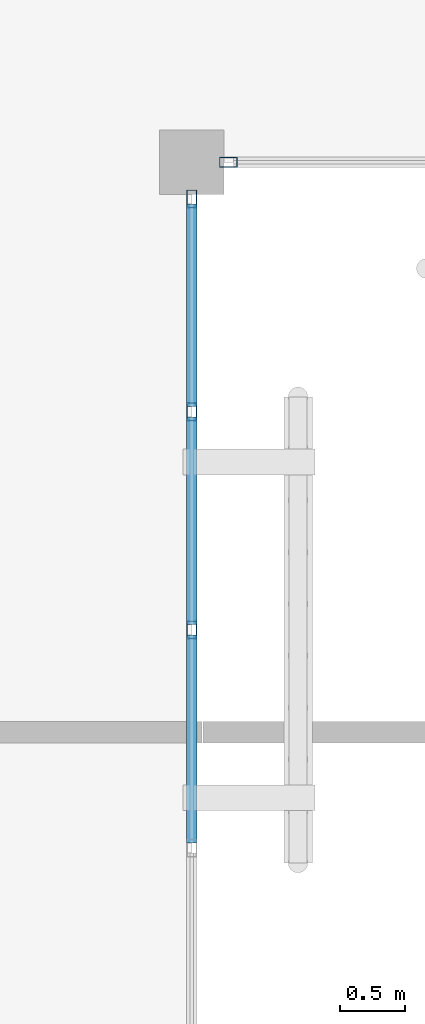
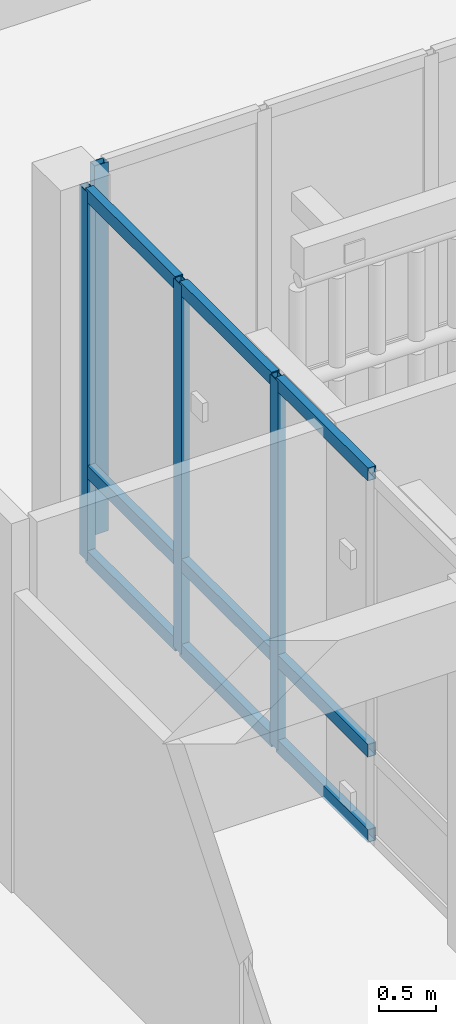
# One storey, part 23 of 61: 13 members, 2 elements without a shape of their own.
"""IFC4 building model written with IfcOpenShell, lengths in metres."""

from ifc_helpers import new_model, si_unit, direction, frame, origin, origin_2d, place, context, subcontext, project, spatial, hollow_rectangle, extrude, material, layer, layer_set, material_profile, profile_set, type_object, element, aggregate, save


model = new_model("IFC4")

# Units and contexts
model_context = context("Model", 3, precision=1e-05, world=origin(), true_north=direction((0.0, 1.0)))
body_context = subcontext(model_context, "Body", "Model", "MODEL_VIEW")
ifc_project = project(units=[si_unit("LENGTHUNIT", "METRE"), si_unit("AREAUNIT", "SQUARE_METRE"), si_unit("VOLUMEUNIT", "CUBIC_METRE"), si_unit("PLANEANGLEUNIT", "RADIAN"), si_unit("MASSUNIT", "GRAM", prefix="KILO")], contexts=[model_context])

# Site, building, storey
site_placement = place(None, origin())
site = spatial("IfcSite", under=ifc_project, at=site_placement, CompositionType="ELEMENT")
building_placement = place(site_placement, origin())
building = spatial("IfcBuilding", under=site, at=building_placement, Name="Mazaris Harbour Polytechnic", CompositionType="ELEMENT")
storey_placement = place(building_placement, frame((0.0, 0.0, 18.0)))
storey = spatial("IfcBuildingStorey", under=building, at=storey_placement, Name="L04", CompositionType="ELEMENT", Elevation=18.0)

# Curtain wall, member
ifc_material_1 = material(Name="Anodised Bronze Aluminium and Low-E Glass", Category="aluminium")
ifc_layer = layer(ifc_material_1, 0.159912109375, Name="Anodised Bronze Aluminium and Low-E Glass")
ifc_layer_set = layer_set([ifc_layer], Name="Anodised Bronze Aluminium and Low-E Glass")
curtain_wall_type = type_object("IfcCurtainWallType", Name="Cloister Court Curtain Wall", PredefinedType="NOTDEFINED", material=ifc_layer_set)
curtain_wall_1_placement = place(storey_placement, origin())
curtain_wall_1 = element("IfcCurtainWall", 1, at=curtain_wall_1_placement, inside=storey, type_object=curtain_wall_type, Name="V4 L04 Curtain Wall 169", PredefinedType="NOTDEFINED")
ifc_material_2 = material(Name="Anodised Bronze Steel S355", Category="steel")
ifc_material_profile_1 = material_profile(ifc_material_2, hollow_rectangle(XDim=0.080078125, YDim=0.139892578125, WallThickness=0.00634765625, at=origin_2d()), Name="RHS 80x140x6.3")
ifc_profile_set_1 = profile_set([ifc_material_profile_1], Name="Anodised Bronze Steel S355")
member_type_1 = type_object("IfcMemberType", Name="Curtain Mullion RHS80x140", PredefinedType="MULLION", material=ifc_profile_set_1)
member_1_placement = place(storey_placement, frame((14.681884765625, 68.39990234375, 0.0), z_axis=(0.0, 0.0, 1.0), x_axis=(0.0, -1.0, 0.0)))
member_1 = element("IfcMember", 2, at=member_1_placement, type_object=member_type_1, Name="CW-02 mullion 5", PredefinedType="MULLION", context=body_context, shape_type="SweptSolid", body=[
    extrude(hollow_rectangle(XDim=0.080078125, YDim=0.139892578125, WallThickness=0.00634765625, at=origin_2d()), origin(), (0.0, 0.0, 1.0), 3.93505859375),
])
aggregate(curtain_wall_1, [member_1])

# Curtain wall, members
curtain_wall_2_placement = place(storey_placement, origin())
curtain_wall_2 = element("IfcCurtainWall", 3, at=curtain_wall_2_placement, inside=storey, type_object=curtain_wall_type, Name="V4 L04 Curtain Wall 174", PredefinedType="NOTDEFINED")
member_2_placement = place(storey_placement, frame((14.39990234375, 64.7900390625, 0.0), z_axis=(0.0, 0.0, 1.0), x_axis=(-1.0, 0.0, 0.0)))
member_2 = element("IfcMember", 4, at=member_2_placement, type_object=member_type_1, Name="CW-02 mullion 3", PredefinedType="MULLION", context=body_context, shape_type="SweptSolid", body=[
    extrude(hollow_rectangle(XDim=0.080078125, YDim=0.139892578125, WallThickness=0.00634765625, at=origin_2d()), origin(), (0.0, 0.0, 1.0), 3.93505859375),
])
member_3_placement = place(storey_placement, frame((14.39990234375, 66.47412109375, 0.0), z_axis=(0.0, 0.0, 1.0), x_axis=(-1.0, 0.0, 0.0)))
member_3 = element("IfcMember", 5, at=member_3_placement, type_object=member_type_1, Name="CW-02 mullion 4", PredefinedType="MULLION", context=body_context, shape_type="SweptSolid", body=[
    extrude(hollow_rectangle(XDim=0.080078125, YDim=0.139892578125, WallThickness=0.00634765625, at=origin_2d()), origin(), (0.0, 0.0, 1.0), 3.93505859375),
])
member_4_placement = place(storey_placement, frame((14.39990234375, 68.117919921875, 0.0), z_axis=(0.0, 0.0, 1.0), x_axis=(-1.0, 0.0, 0.0)))
member_4 = element("IfcMember", 6, at=member_4_placement, type_object=member_type_1, Name="CW-02 mullion 5", PredefinedType="MULLION", context=body_context, shape_type="SweptSolid", body=[
    extrude(hollow_rectangle(XDim=0.080078125, YDim=0.139892578125, WallThickness=0.00634765625, at=origin_2d()), origin(), (0.0, 0.0, 1.0), 3.93505859375),
])
ifc_material_3 = material(Name="Anodised Bronze Steel S355", Category="steel")
ifc_material_profile_2 = material_profile(ifc_material_3, hollow_rectangle(XDim=0.080078125, YDim=0.139892578125, WallThickness=0.00634765625, at=origin_2d()), Name="RHS 80x140x6.3")
ifc_profile_set_2 = profile_set([ifc_material_profile_2], Name="Anodised Bronze Steel S355")
member_type_2 = type_object("IfcMemberType", Name="Curtain Transom RHS80x140", PredefinedType="USERDEFINED", material=ifc_profile_set_2)
member_5_placement = place(storey_placement, frame((14.39990234375, 63.14599609375, 0.0400390625), z_axis=(0.0, 1.0, 0.0), x_axis=(-1.0, 0.0, 0.0)))
member_5 = element("IfcMember", 7, at=member_5_placement, type_object=member_type_2, Name="CW-02 transom 2.1", ObjectType="TRANSOM", PredefinedType="USERDEFINED", context=body_context, shape_type="SweptSolid", body=[
    extrude(hollow_rectangle(XDim=0.080078125, YDim=0.139892578125, WallThickness=0.00634765625, at=origin_2d()), origin(), (0.0, 0.0, 1.0), 1.60400390625),
])
member_6_placement = place(storey_placement, frame((14.39990234375, 63.14599609375, 0.949951171875), z_axis=(0.0, 1.0, 0.0), x_axis=(-1.0, 0.0, 0.0)))
member_6 = element("IfcMember", 8, at=member_6_placement, type_object=member_type_2, Name="CW-02 transom 2.2", ObjectType="TRANSOM", PredefinedType="USERDEFINED", context=body_context, shape_type="SweptSolid", body=[
    extrude(hollow_rectangle(XDim=0.080078125, YDim=0.139892578125, WallThickness=0.00634765625, at=origin_2d()), origin(), (0.0, 0.0, 1.0), 1.60400390625),
])
member_7_placement = place(storey_placement, frame((14.39990234375, 63.14599609375, 3.89501953125), z_axis=(0.0, 1.0, 0.0), x_axis=(-1.0, 0.0, 0.0)))
member_7 = element("IfcMember", 9, at=member_7_placement, type_object=member_type_2, Name="CW-02 transom 2.3", ObjectType="TRANSOM", PredefinedType="USERDEFINED", context=body_context, shape_type="SweptSolid", body=[
    extrude(hollow_rectangle(XDim=0.080078125, YDim=0.139892578125, WallThickness=0.00634765625, at=origin_2d()), origin(), (0.0, 0.0, 1.0), 1.60400390625),
])
member_8_placement = place(storey_placement, frame((14.39990234375, 64.830078125, 0.0400390625), z_axis=(0.0, 1.0, 0.0), x_axis=(-1.0, 0.0, 0.0)))
member_8 = element("IfcMember", 10, at=member_8_placement, type_object=member_type_2, Name="CW-02 transom 3.1", ObjectType="TRANSOM", PredefinedType="USERDEFINED", context=body_context, shape_type="SweptSolid", body=[
    extrude(hollow_rectangle(XDim=0.080078125, YDim=0.139892578125, WallThickness=0.00634765625, at=origin_2d()), origin(), (0.0, 0.0, 1.0), 1.60400390625),
])
member_9_placement = place(storey_placement, frame((14.39990234375, 64.830078125, 0.949951171875), z_axis=(0.0, 1.0, 0.0), x_axis=(-1.0, 0.0, 0.0)))
member_9 = element("IfcMember", 11, at=member_9_placement, type_object=member_type_2, Name="CW-02 transom 3.2", ObjectType="TRANSOM", PredefinedType="USERDEFINED", context=body_context, shape_type="SweptSolid", body=[
    extrude(hollow_rectangle(XDim=0.080078125, YDim=0.139892578125, WallThickness=0.00634765625, at=origin_2d()), origin(), (0.0, 0.0, 1.0), 1.60400390625),
])
member_10_placement = place(storey_placement, frame((14.39990234375, 64.830078125, 3.89501953125), z_axis=(0.0, 1.0, 0.0), x_axis=(-1.0, 0.0, 0.0)))
member_10 = element("IfcMember", 12, at=member_10_placement, type_object=member_type_2, Name="CW-02 transom 3.3", ObjectType="TRANSOM", PredefinedType="USERDEFINED", context=body_context, shape_type="SweptSolid", body=[
    extrude(hollow_rectangle(XDim=0.080078125, YDim=0.139892578125, WallThickness=0.00634765625, at=origin_2d()), origin(), (0.0, 0.0, 1.0), 1.60400390625),
])
member_11_placement = place(storey_placement, frame((14.39990234375, 66.513916015625, 0.0400390625), z_axis=(0.0, 1.0, 0.0), x_axis=(-1.0, 0.0, 0.0)))
member_11 = element("IfcMember", 13, at=member_11_placement, type_object=member_type_2, Name="CW-02 transom 4.1", ObjectType="TRANSOM", PredefinedType="USERDEFINED", context=body_context, shape_type="SweptSolid", body=[
    extrude(hollow_rectangle(XDim=0.080078125, YDim=0.139892578125, WallThickness=0.00634765625, at=origin_2d()), origin(), (0.0, 0.0, 1.0), 1.56396484375),
])
member_12_placement = place(storey_placement, frame((14.39990234375, 66.513916015625, 0.949951171875), z_axis=(0.0, 1.0, 0.0), x_axis=(-1.0, 0.0, 0.0)))
member_12 = element("IfcMember", 14, at=member_12_placement, type_object=member_type_2, Name="CW-02 transom 4.2", ObjectType="TRANSOM", PredefinedType="USERDEFINED", context=body_context, shape_type="SweptSolid", body=[
    extrude(hollow_rectangle(XDim=0.080078125, YDim=0.139892578125, WallThickness=0.00634765625, at=origin_2d()), origin(), (0.0, 0.0, 1.0), 1.56396484375),
])
member_13_placement = place(storey_placement, frame((14.39990234375, 66.513916015625, 3.89501953125), z_axis=(0.0, 1.0, 0.0), x_axis=(-1.0, 0.0, 0.0)))
member_13 = element("IfcMember", 15, at=member_13_placement, type_object=member_type_2, Name="CW-02 transom 4.3", ObjectType="TRANSOM", PredefinedType="USERDEFINED", context=body_context, shape_type="SweptSolid", body=[
    extrude(hollow_rectangle(XDim=0.080078125, YDim=0.139892578125, WallThickness=0.00634765625, at=origin_2d()), origin(), (0.0, 0.0, 1.0), 1.56396484375),
])
aggregate(curtain_wall_2, [member_2, member_3, member_4, member_5, member_6, member_7, member_8, member_9, member_10, member_11, member_12, member_13])

save(model, "model.ifc")
